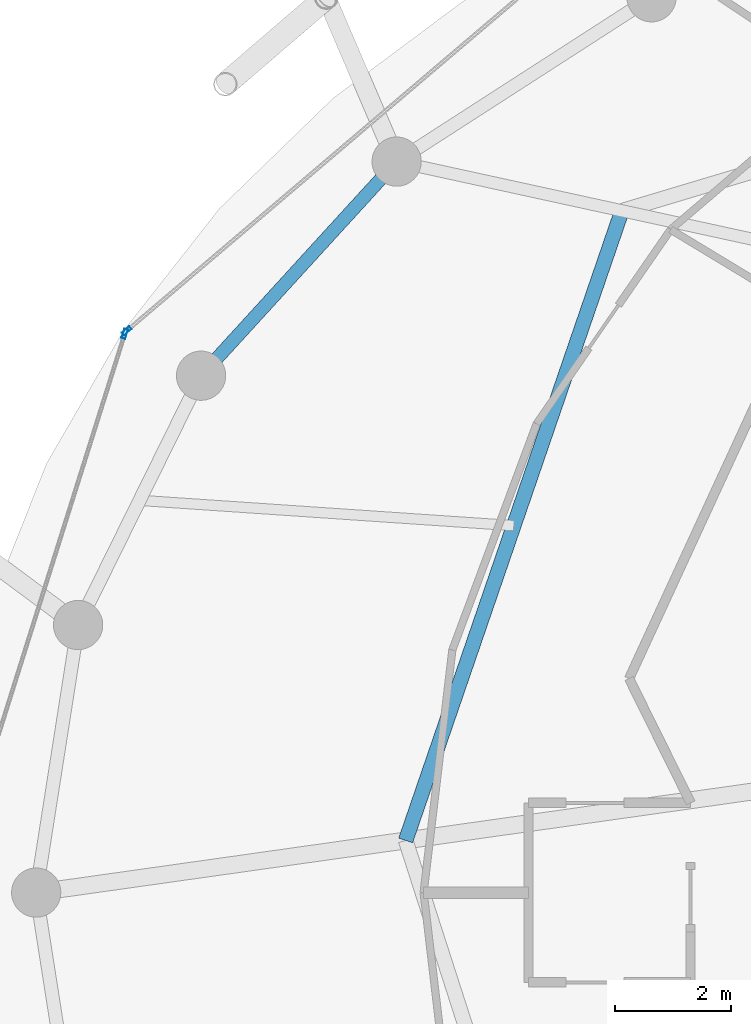
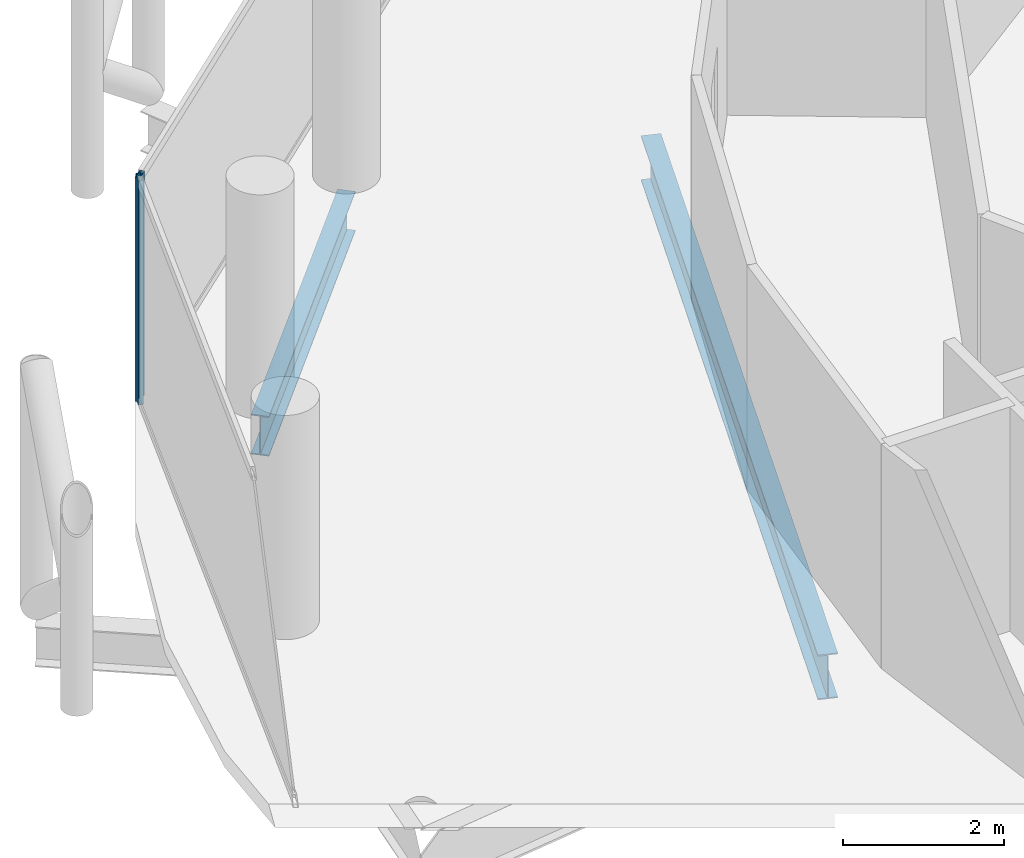
# One storey, part 9 of 27: 2 beams, 2 members, 2 elements without a shape of their own.
"""IFC4 building model written with IfcOpenShell, lengths in metres."""

from ifc_helpers import new_model, si_unit, direction, frame, origin, origin_2d, place, context, subcontext, project, spatial, hollow_rectangle, i_section, extrude, material, layer, layer_set, material_profile, profile_set, type_object, element, aggregate, save


model = new_model("IFC4")

# Units and contexts
model_context = context("Model", 3, precision=1e-05, world=origin(), true_north=direction((0.0, 1.0)))
body_context = subcontext(model_context, "Body", "Model", "MODEL_VIEW")
ifc_project = project(units=[si_unit("LENGTHUNIT", "METRE"), si_unit("AREAUNIT", "SQUARE_METRE"), si_unit("VOLUMEUNIT", "CUBIC_METRE"), si_unit("PLANEANGLEUNIT", "RADIAN"), si_unit("MASSUNIT", "GRAM", prefix="KILO")], contexts=[model_context])

# Site, building, storey
site_placement = place(None, origin())
site = spatial("IfcSite", under=ifc_project, at=site_placement, CompositionType="ELEMENT")
building_placement = place(site_placement, origin())
building = spatial("IfcBuilding", under=site, at=building_placement, Name="Nuhasar Tower", CompositionType="ELEMENT")
storey_placement = place(building_placement, frame((0.0, 0.0, 230.050048828125)))
storey = spatial("IfcBuildingStorey", under=building, at=storey_placement, Name="L56", CompositionType="ELEMENT", Elevation=230.050048828125)

# Beams
ifc_material_1 = material(Name="Steel S355", Category="steel")
ifc_material_profile_1 = material_profile(ifc_material_1, i_section(OverallWidth=0.25390625, OverallDepth=0.68408203125, WebThickness=0.012451171875, FlangeThickness=0.018798828125, at=origin_2d()), Name="W27X94")
ifc_profile_set_1 = profile_set([ifc_material_profile_1], Name="Steel S355")
beam_type_1 = type_object("IfcBeamType", Name="BM-INRING-W27X94", PredefinedType="BEAM", material=ifc_profile_set_1)
beam_1_placement = place(storey_placement, frame((27.864013671875, 38.572998046875, -0.58203125), z_axis=(-0.324809117642, -0.945779592239, 0.0), x_axis=(0.945779592239, -0.324809117642, 0.0)))
element("IfcBeam", 1, at=beam_1_placement, inside=storey, type_object=beam_type_1, Name="L56 Inner Header Beam 07", PredefinedType="BEAM", context=body_context, shape_type="SweptSolid", body=[
    extrude(i_section(OverallWidth=0.25390625, OverallDepth=0.68408203125, WebThickness=0.012451171875, FlangeThickness=0.018798828125, at=origin_2d()), origin(), (0.0, 0.0, 1.0), 11.496337890625),
])
ifc_material_profile_2 = material_profile(ifc_material_1, i_section(OverallWidth=0.22802734375, OverallDepth=0.60791015625, WebThickness=0.01123046875, FlangeThickness=0.017333984375, at=origin_2d()), Name="W24X76")
ifc_profile_set_2 = profile_set([ifc_material_profile_2], Name="Steel S355")
beam_type_2 = type_object("IfcBeamType", Name="BM-RING-W24X76", PredefinedType="SPANDREL", material=ifc_profile_set_2)
beam_2_placement = place(storey_placement, frame((23.97412109375, 39.422119140625, -0.5439453125), z_axis=(-0.674449692975, -0.738320805373, 0.0), x_axis=(0.738320805373, -0.674449692975, 0.0)))
element("IfcBeam", 2, at=beam_2_placement, inside=storey, type_object=beam_type_2, Name="L56 Perimeter Ring Spandrel 10", PredefinedType="SPANDREL", context=body_context, shape_type="SweptSolid", body=[
    extrude(i_section(OverallWidth=0.22802734375, OverallDepth=0.60791015625, WebThickness=0.01123046875, FlangeThickness=0.017333984375, at=origin_2d()), origin(), (0.0, 0.0, 1.0), 5.00732421875),
])

# Curtain wall, member
ifc_material_2 = material(Name="Aluminium 6063-T6", Category="aluminium")
ifc_layer = layer(ifc_material_2, 0.18994140625)
ifc_layer_set = layer_set([ifc_layer], Name="Aluminium 6063-T6")
curtain_wall_type = type_object("IfcCurtainWallType", Name="CW-Z3-RES", PredefinedType="NOTDEFINED", material=ifc_layer_set)
curtain_wall_1_placement = place(storey_placement, origin())
curtain_wall_1 = element("IfcCurtainWall", 3, at=curtain_wall_1_placement, inside=storey, type_object=curtain_wall_type, Name="L56 Unitised Curtain Wall 05", PredefinedType="NOTDEFINED")
ifc_material_profile_3 = material_profile(ifc_material_2, hollow_rectangle(XDim=0.06494140625, YDim=0.169921875, WallThickness=0.0048828125, at=origin_2d()), Name="CWM-4")
ifc_profile_set_3 = profile_set([ifc_material_profile_3], Name="Aluminium 6063-T6")
member_type = type_object("IfcMemberType", Name="CW-MUL-S4", PredefinedType="MULLION", material=ifc_profile_set_3)
member_1_placement = place(storey_placement, frame((19.313720703125, 36.5009765625, 0.0), z_axis=(0.0, 0.0, 1.0), x_axis=(0.64789521578, -0.761729472562, 0.0)))
member_1 = element("IfcMember", 4, at=member_1_placement, type_object=member_type, Name="CW-Z3 mullion 2", PredefinedType="MULLION", context=body_context, shape_type="SweptSolid", body=[
    extrude(hollow_rectangle(XDim=0.06494140625, YDim=0.169921875, WallThickness=0.0048828125, at=origin_2d()), origin(), (0.0, 0.0, 1.0), 3.409912109375),
])
aggregate(curtain_wall_1, [member_1])

curtain_wall_2_placement = place(storey_placement, origin())
curtain_wall_2 = element("IfcCurtainWall", 5, at=curtain_wall_2_placement, inside=storey, type_object=curtain_wall_type, Name="L56 Unitised Curtain Wall 06", PredefinedType="NOTDEFINED")
member_2_placement = place(storey_placement, frame((19.279296875, 36.448974609375, 0.0), z_axis=(0.0, 0.0, 1.0), x_axis=(0.95380429279, -0.30042864553, 0.0)))
member_2 = element("IfcMember", 6, at=member_2_placement, type_object=member_type, Name="CW-Z3 mullion 1", PredefinedType="MULLION", context=body_context, shape_type="SweptSolid", body=[
    extrude(hollow_rectangle(XDim=0.06494140625, YDim=0.169921875, WallThickness=0.0048828125, at=origin_2d()), origin(), (0.0, 0.0, 1.0), 3.409912109375),
])
aggregate(curtain_wall_2, [member_2])

save(model, "model.ifc")
